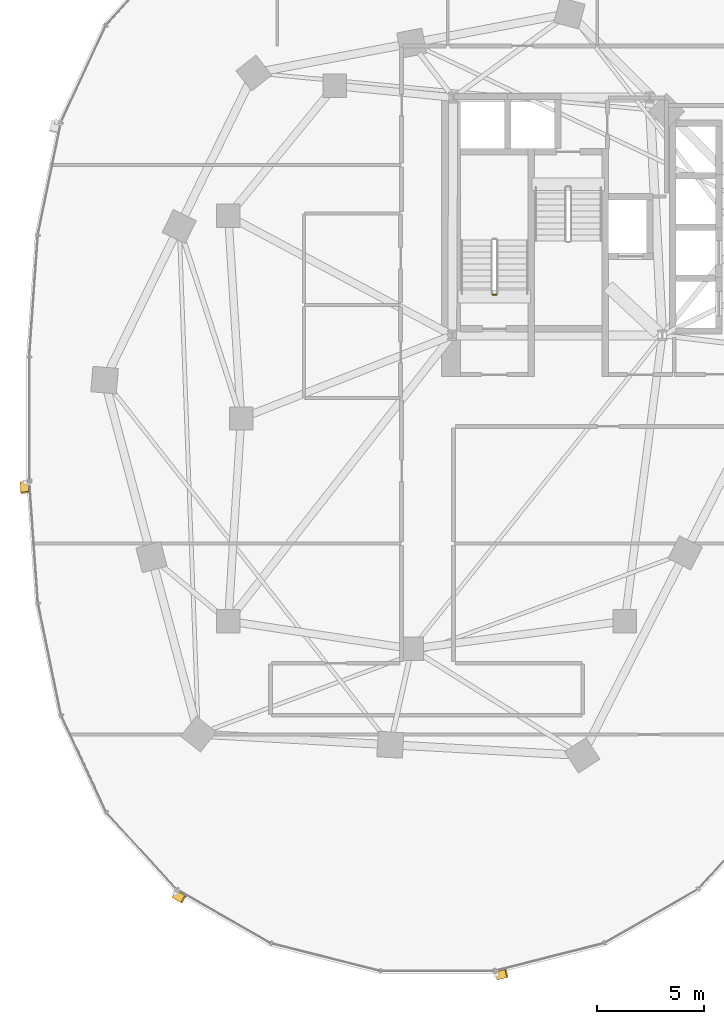
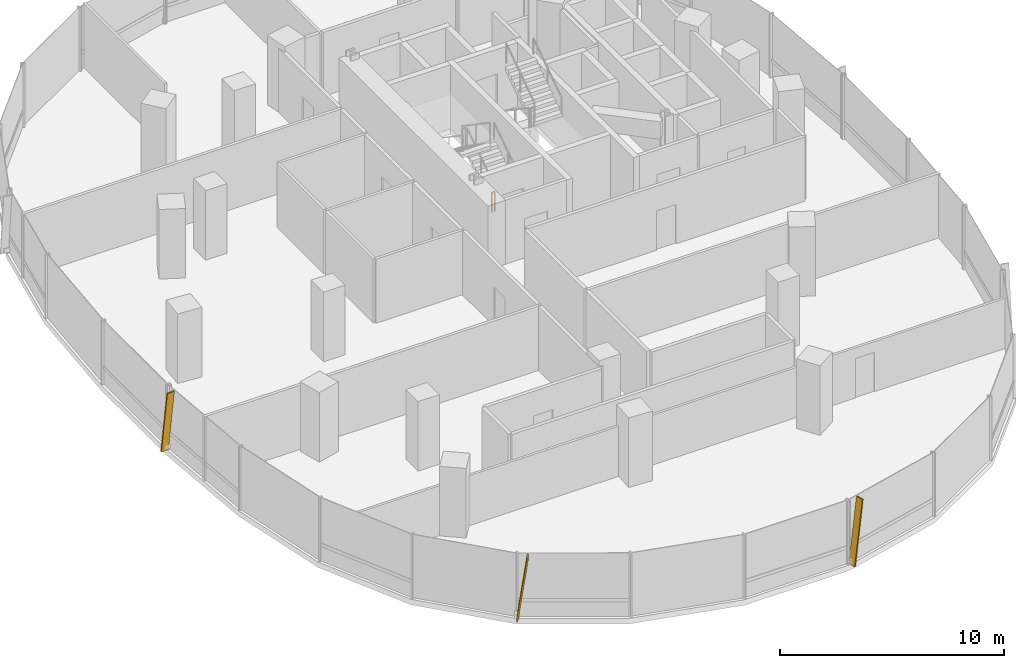
# One storey, part 17 of 21: 3 shading devices, 1 railing.
"""IFC4 building model written with IfcOpenShell, lengths in metres."""

from ifc_helpers import new_model, si_unit, direction, frame, origin, origin_2d, place, context, subcontext, project, spatial, rectangle, extrude, material, material_profile, profile_set, type_object, element, save


model = new_model("IFC4")

# Units and contexts
model_context = context("Model", 3, precision=1e-05, world=origin(), true_north=direction((0.0, 1.0)))
body_context = subcontext(model_context, "Body", "Model", "MODEL_VIEW")
ifc_project = project(units=[si_unit("LENGTHUNIT", "METRE"), si_unit("AREAUNIT", "SQUARE_METRE"), si_unit("VOLUMEUNIT", "CUBIC_METRE"), si_unit("PLANEANGLEUNIT", "RADIAN"), si_unit("MASSUNIT", "GRAM", prefix="KILO"), si_unit("THERMODYNAMICTEMPERATUREUNIT", "KELVIN"), si_unit("POWERUNIT", "WATT")], contexts=[model_context])

# Site, building, storey
site_placement = place(None, origin())
site = spatial("IfcSite", under=ifc_project, at=site_placement, CompositionType="ELEMENT")
building_placement = place(site_placement, origin())
building = spatial("IfcBuilding", under=site, at=building_placement, Name="Cundina Bronze Exchange", CompositionType="ELEMENT")
storey_placement = place(building_placement, frame((0.0, 0.0, 65.800048828125)))
storey = spatial("IfcBuildingStorey", under=building, at=storey_placement, Name="L16", CompositionType="ELEMENT", Elevation=65.800048828125)

# Railing
ifc_material_1 = material(Name="Steel ASTM A36 Painted", Category="steel")
railing_type = type_object("IfcRailingType", Name="RLG-STG-1100", PredefinedType="GUARDRAIL", material=ifc_material_1)
railing_placement = place(storey_placement, frame((-29.239990234375, 5.800048828125, 0.0)))
element("IfcRailing", 1, at=railing_placement, inside=storey, type_object=railing_type, Name="L16 ST-W1 stair guard 4", PredefinedType="GUARDRAIL", context=body_context, shape_type="SweptSolid", body=[
    extrude(rectangle(XDim=0.048095703125, YDim=0.048095703125, at=origin_2d()), frame((0.0, 0.0, 1.076171875), z_axis=(-1.0, 0.0, 0.0), x_axis=(0.0, -1.0, 0.0)), (0.0, 0.0, 1.0), 0.159912109375),
    extrude(rectangle(XDim=0.0419921875, YDim=0.0419921875, at=origin_2d()), origin(), (0.0, 0.0, 1.0), 1.052001953125),
    extrude(rectangle(XDim=0.0419921875, YDim=0.0419921875, at=origin_2d()), frame((-0.159912109375, 0.0, 0.0)), (0.0, 0.0, 1.0), 1.052001953125),
])

# Shading devices
ifc_material_2 = material(Name="Anodised Bronze Aluminium 6063-T6", Category="aluminium")
ifc_material_profile = material_profile(ifc_material_2, rectangle(XDim=0.070068359375, YDim=0.3798828125, at=origin_2d()), Name="FIN70X380", Category="aluminium")
ifc_profile_set = profile_set([ifc_material_profile], Name="Anodised Bronze Aluminium 6063-T6")
shading_device_type = type_object("IfcShadingDeviceType", Name="SHD-FIN-BRZ380", PredefinedType="USERDEFINED", material=ifc_profile_set)
for number, where, z_axis, x_axis, name in (
    (2, (-51.3740234375, -2.993896484375, 0.02001953125), (0.009645159174, -0.137059109714, 0.990515911709), (-0.06953288269, 0.988072340253, 0.137398066402), "L16 Diagonal Bronze Solar Fin 1"),
    (3, (-44.314208984375, -22.314208984375, 0.02001953125), (0.119166378275, -0.06842456559, 0.990513731915), (-0.85898178632, 0.493221799887, 0.137413779831), "L16 Diagonal Bronze Solar Fin 5"),
    (4, (-29.212646484375, -26.138427734375, 0.02001953125), (0.133214830938, 0.033688115694, 0.990514472221), (-0.960284642503, -0.242842181368, 0.137408443412), "L16 Diagonal Bronze Solar Fin 1"),
):
    element("IfcShadingDevice", number, at=place(storey_placement, frame(where, z_axis=z_axis, x_axis=x_axis)), inside=storey, type_object=shading_device_type, Name=name, ObjectType="FIN", PredefinedType="USERDEFINED", context=body_context, shape_type="SweptSolid", body=[
        extrude(rectangle(XDim=0.070068359375, YDim=0.3798828125, at=origin_2d()), origin(), (0.0, 0.0, 1.0), 3.4931640625),
    ])

save(model, "model.ifc")
